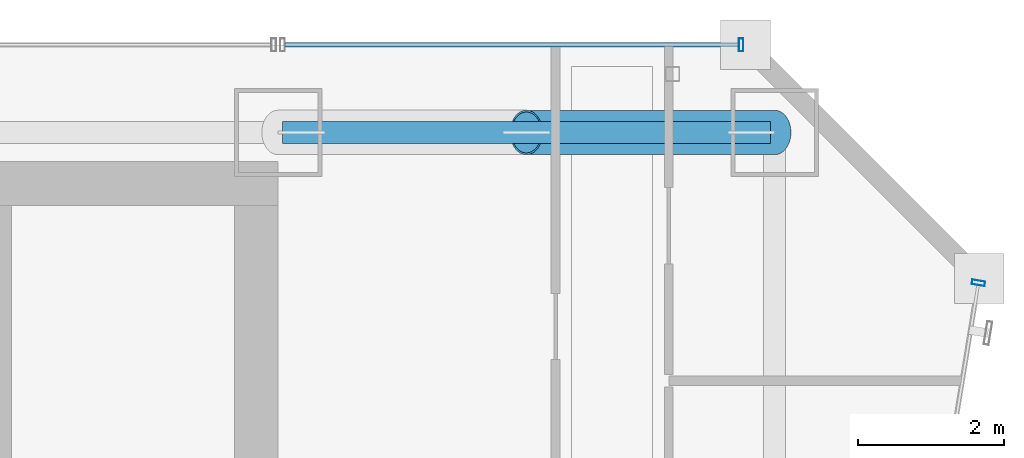
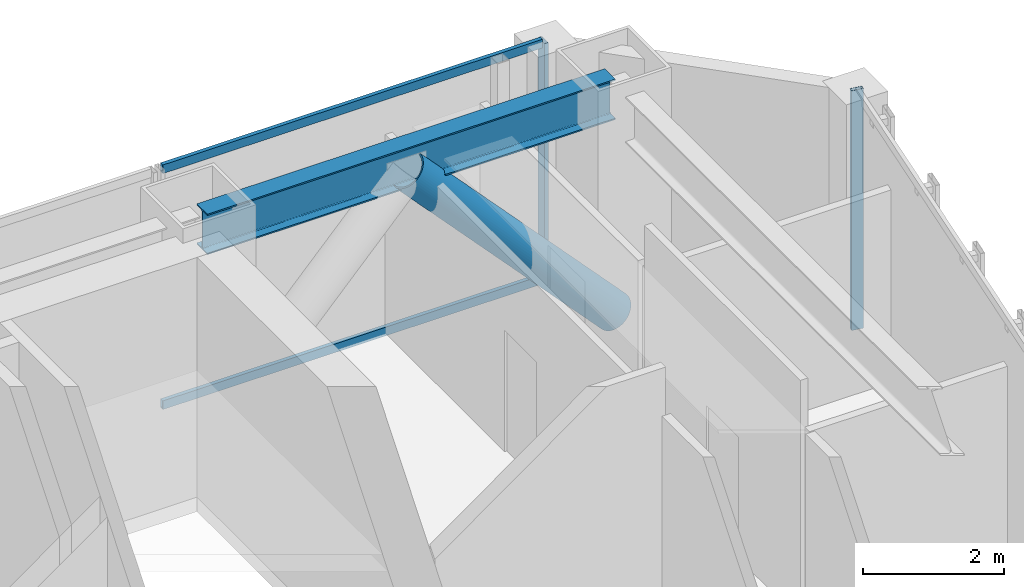
# One storey, part 33 of 49: 5 members, 1 beam, 2 elements without a shape of their own.
"""IFC4 building model written with IfcOpenShell, lengths in metres."""

from ifc_helpers import new_model, si_unit, direction, frame, origin, origin_2d, place, context, subcontext, project, spatial, hollow_rectangle, hollow_circle, i_section, extrude, material, material_profile, profile_set, type_object, element, aggregate, save


model = new_model("IFC4")

# Units and contexts
model_context = context("Model", 3, precision=1e-05, world=origin(), true_north=direction((0.0, 1.0)))
body_context = subcontext(model_context, "Body", "Model", "MODEL_VIEW")
ifc_project = project(units=[si_unit("LENGTHUNIT", "METRE"), si_unit("AREAUNIT", "SQUARE_METRE"), si_unit("VOLUMEUNIT", "CUBIC_METRE"), si_unit("PLANEANGLEUNIT", "RADIAN"), si_unit("MASSUNIT", "GRAM", prefix="KILO")], contexts=[model_context])

# Site, building, storey
site_placement = place(None, origin())
site = spatial("IfcSite", under=ifc_project, at=site_placement, CompositionType="ELEMENT")
building_placement = place(site_placement, origin())
building = spatial("IfcBuilding", under=site, at=building_placement, Name="Saevonmaru Cultural Tower", CompositionType="ELEMENT")
storey_placement = place(building_placement, frame((0.0, 0.0, 73.60009765625)))
storey = spatial("IfcBuildingStorey", under=building, at=storey_placement, Name="L15", CompositionType="ELEMENT", Elevation=73.60009765625)

# Beam
ifc_material_1 = material(Name="Steel SM355", Category="steel")
ifc_material_profile_1 = material_profile(ifc_material_1, i_section(OverallWidth=0.300048828125, OverallDepth=0.699951171875, WebThickness=0.012939453125, FlangeThickness=0.02392578125, FilletRadius=0.02587890625, at=origin_2d()), Name="H-700x300x13x24")
ifc_profile_set_1 = profile_set([ifc_material_profile_1], Name="Steel SM355")
beam_type = type_object("IfcBeamType", Name="BM-SP-H700", PredefinedType="SPANDREL", material=ifc_profile_set_1)
beam_placement = place(storey_placement, frame((46.4599609375, 54.800048828125, 3.7998046875), z_axis=(1.0, 0.0, 0.0), x_axis=(0.0, 1.0, 0.0)))
element("IfcBeam", 1, at=beam_placement, inside=storey, type_object=beam_type, Name="L15 North Spine Girder 5", PredefinedType="SPANDREL", context=body_context, shape_type="SweptSolid", body=[
    extrude(i_section(OverallWidth=0.300048828125, OverallDepth=0.699951171875, WebThickness=0.012939453125, FlangeThickness=0.02392578125, FilletRadius=0.02587890625, at=origin_2d()), origin(), (0.0, 0.0, 1.0), 6.679931640625),
])

# Member
ifc_material_2 = material(Name="Steel HSA600 (600 MPa)", Category="steel")
ifc_material_profile_2 = material_profile(ifc_material_2, hollow_circle(Radius=0.3046875, WallThickness=0.02490234375, at=origin_2d()), Name="CHS-609.6x25")
ifc_profile_set_2 = profile_set([ifc_material_profile_2], Name="Steel HSA600 (600 MPa)")
member_type_1 = type_object("IfcMemberType", Name="MB-PBR-CHS610", PredefinedType="BRACE", material=ifc_profile_set_2)
member_1_placement = place(storey_placement, frame((53.199951171875, 54.800048828125, 0.02001953125), z_axis=(-0.681602937137, 0.0, 0.73172223971), x_axis=(0.0, -1.0, 0.0)))
element("IfcMember", 2, at=member_1_placement, inside=storey, type_object=member_type_1, Name="L15 Perimeter Braced-Tube Diagonal EN2", PredefinedType="BRACE", context=body_context, shape_type="SweptSolid", body=[
    extrude(hollow_circle(Radius=0.3046875, WallThickness=0.02490234375, at=origin_2d()), origin(), (0.0, 0.0, 1.0), 4.988037109375),
])

# Curtain wall, member
ifc_material_3 = material(Name="Satin Bronze Anodised Aluminium", Category="aluminium")
curtain_wall_type = type_object("IfcCurtainWallType", Name="CW-TYP-A", PredefinedType="NOTDEFINED", material=ifc_material_3)
curtain_wall_1_placement = place(storey_placement, origin())
curtain_wall_1 = element("IfcCurtainWall", 3, at=curtain_wall_1_placement, inside=storey, type_object=curtain_wall_type, Name="L15 Unitised Curtain Wall E8", PredefinedType="NOTDEFINED")
ifc_material_profile_3 = material_profile(ifc_material_3, hollow_rectangle(XDim=0.06494140625, YDim=0.179931640625, WallThickness=0.00390625, at=origin_2d()), Name="ALU-MULL-180x65x4")
ifc_profile_set_3 = profile_set([ifc_material_profile_3], Name="Satin Bronze Anodised Aluminium")
member_type_2 = type_object("IfcMemberType", Name="ML-CW-180x65", PredefinedType="MULLION", material=ifc_profile_set_3)
member_2_placement = place(storey_placement, frame((55.990234375, 52.74072265625, 0.0), z_axis=(0.0, 0.0, 1.0), x_axis=(0.161708868641, 0.986838508472, 0.0)))
member_2 = element("IfcMember", 4, at=member_2_placement, type_object=member_type_2, Name="CW-TW-L15-E8 mullion 5", PredefinedType="MULLION", context=body_context, shape_type="SweptSolid", body=[
    extrude(hollow_rectangle(XDim=0.06494140625, YDim=0.179931640625, WallThickness=0.00390625, at=origin_2d()), origin(), (0.0, 0.0, 1.0), 4.14990234375),
])
aggregate(curtain_wall_1, [member_2])

# Curtain wall, members
curtain_wall_2_placement = place(storey_placement, origin())
curtain_wall_2 = element("IfcCurtainWall", 5, at=curtain_wall_2_placement, inside=storey, type_object=curtain_wall_type, Name="L15 East Braced Bay Spandrel Curtain Wall E10A", PredefinedType="NOTDEFINED")
member_3_placement = place(storey_placement, frame((52.739990234375, 56.0, 0.0), z_axis=(0.0, 0.0, 1.0), x_axis=(-1.0, 0.0, 0.0)))
member_3 = element("IfcMember", 6, at=member_3_placement, type_object=member_type_2, Name="CW-TW-L15-E10A mullion 1", PredefinedType="MULLION", context=body_context, shape_type="SweptSolid", body=[
    extrude(hollow_rectangle(XDim=0.06494140625, YDim=0.179931640625, WallThickness=0.00390625, at=origin_2d()), origin(), (0.0, 0.0, 1.0), 4.14990234375),
])
ifc_material_profile_4 = material_profile(ifc_material_3, hollow_rectangle(XDim=0.06494140625, YDim=0.14990234375, WallThickness=0.00390625, at=origin_2d()), Name="ALU-TRAN-150x65x4")
ifc_profile_set_4 = profile_set([ifc_material_profile_4], Name="Satin Bronze Anodised Aluminium")
member_type_3 = type_object("IfcMemberType", Name="TR-CW-150x65", PredefinedType="USERDEFINED", material=ifc_profile_set_4)
member_4_placement = place(storey_placement, frame((52.70751953125, 56.0, 0.032470703125), z_axis=(-1.0, 0.0, 0.0), x_axis=(0.0, -1.0, 0.0)))
member_4 = element("IfcMember", 7, at=member_4_placement, type_object=member_type_3, Name="CW-TW-L15-E10A transom 1.1", ObjectType="TRANSOM", PredefinedType="USERDEFINED", context=body_context, shape_type="SweptSolid", body=[
    extrude(hollow_rectangle(XDim=0.06494140625, YDim=0.14990234375, WallThickness=0.00390625, at=origin_2d()), origin(), (0.0, 0.0, 1.0), 6.215087890625),
])
member_5_placement = place(storey_placement, frame((52.70751953125, 56.0, 4.117431640625), z_axis=(-1.0, 0.0, 0.0), x_axis=(0.0, -1.0, 0.0)))
member_5 = element("IfcMember", 8, at=member_5_placement, type_object=member_type_3, Name="CW-TW-L15-E10A transom 1.2", ObjectType="TRANSOM", PredefinedType="USERDEFINED", context=body_context, shape_type="SweptSolid", body=[
    extrude(hollow_rectangle(XDim=0.06494140625, YDim=0.14990234375, WallThickness=0.00390625, at=origin_2d()), origin(), (0.0, 0.0, 1.0), 6.215087890625),
])
aggregate(curtain_wall_2, [member_3, member_4, member_5])

save(model, "model.ifc")
